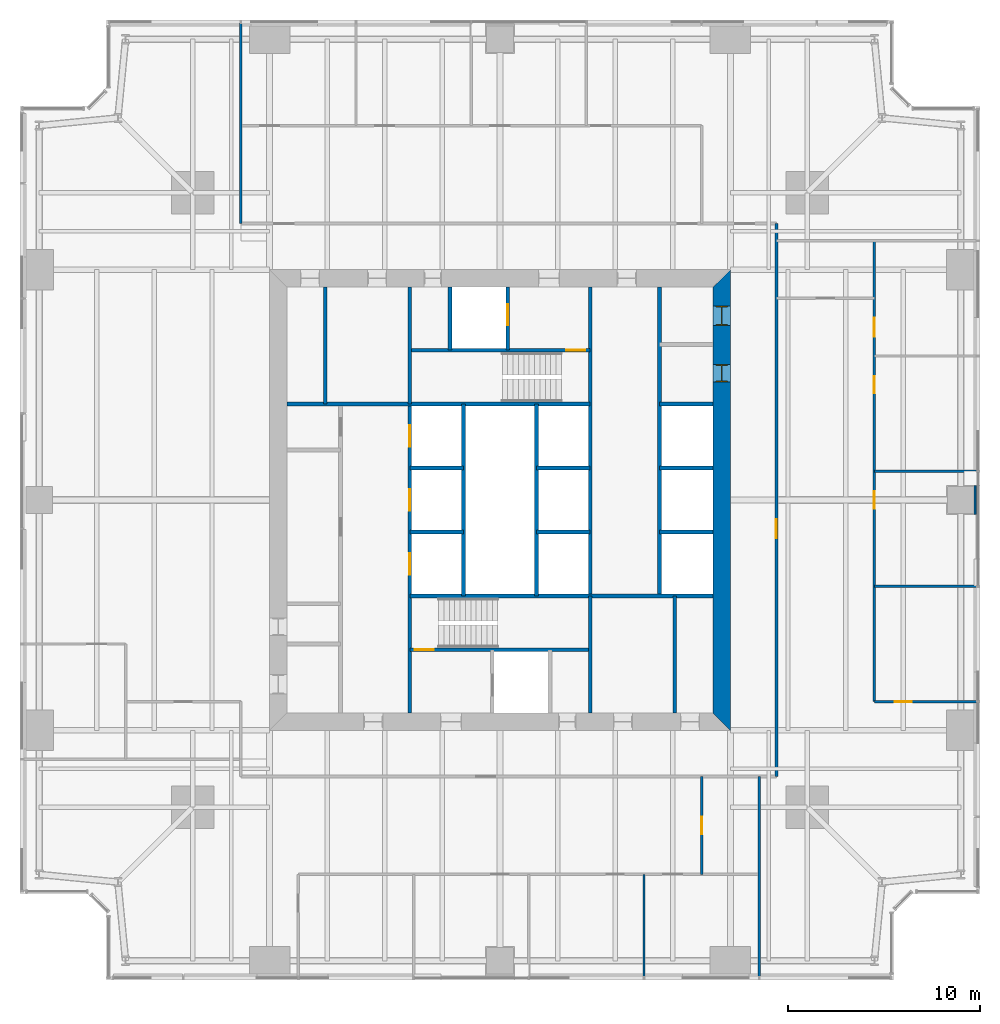
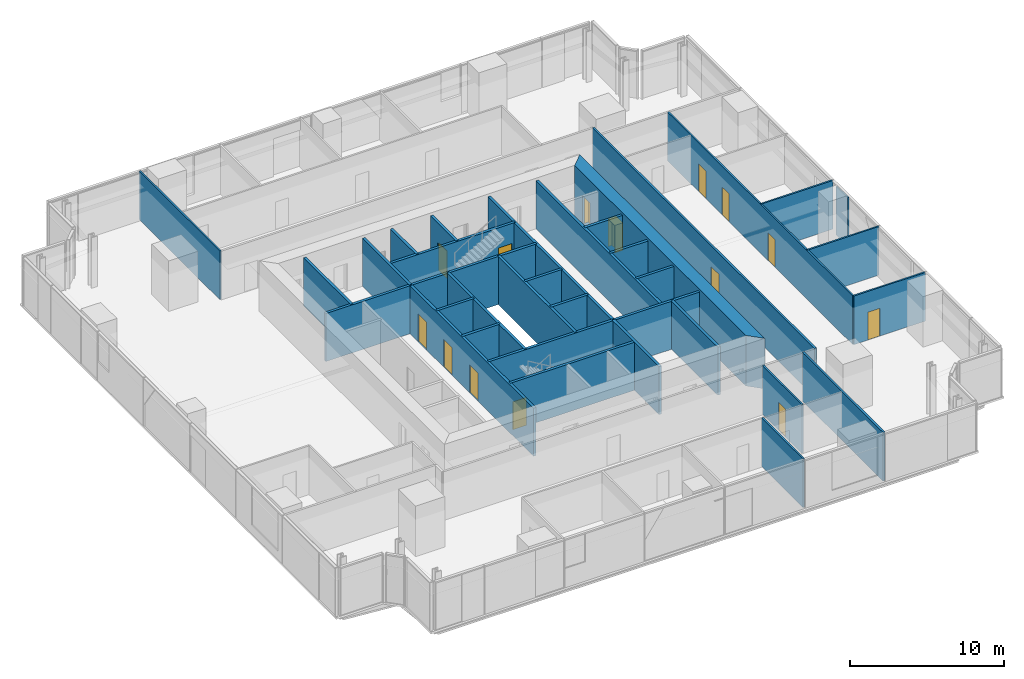
# One storey, part 10 of 13: 33 walls, 14 doors, 14 openings.
"""IFC4 building model written with IfcOpenShell, lengths in metres."""

import ifcopenshell
import ifcopenshell.guid

model = None  # the IFC model being written
_history = None  # IfcOwnerHistory: only IFC2X3 demands one
_inside = {}  # id of a spatial element -> (the spatial element, [elements in it])
_under = {}  # id of a project, library or spatial element -> (it, [spatial elements below it])
_declared = {}  # id of a project -> (the project, [libraries it declares])
_typed = {}  # id of a type object -> (the type object, [elements of that type])
_made_of = {}  # id of a material, layer set ... -> (it, [elements and type objects made of it])


def new_model(schema):
    """Start an empty IFC model of exactly this schema.

    Asked for "IFC4X3", IfcOpenShell would pick the latest addendum, in which some entities
    have other attributes; the version numbers below select the first issue.
    IFC2X3 requires an IfcOwnerHistory on every rooted entity: one is made here for all.
    """
    global model, _history
    if schema == "IFC4X3":
        model = ifcopenshell.file(schema_version=(4, 3, 0, 0))
    else:
        model = ifcopenshell.file(schema=schema)
    _inside.clear()
    _under.clear()
    _declared.clear()
    _typed.clear()
    _made_of.clear()
    _history = None
    if model.schema == "IFC2X3":
        org = make("IfcOrganization", Name="unknown")
        user = make(
            "IfcPersonAndOrganization",
            ThePerson=make("IfcPerson", FamilyName="unknown"),
            TheOrganization=org,
        )
        app = make(
            "IfcApplication",
            ApplicationDeveloper=org,
            Version="unknown",
            ApplicationFullName="unknown",
            ApplicationIdentifier="unknown",
        )
        _history = make(
            "IfcOwnerHistory",
            OwningUser=user,
            OwningApplication=app,
            ChangeAction="ADDED",
            CreationDate=0,
        )
    return model


def make(cls, **values):
    """One entity of the class cls with the attributes given. An attribute that is None is left unset."""
    return model.create_entity(
        cls, **{name: value for name, value in values.items() if value is not None}
    )


def rooted(cls, **values):
    """An entity with a GlobalId (a new one), such as an element, a storey or a relation."""
    return make(cls, GlobalId=ifcopenshell.guid.new(), OwnerHistory=_history, **values)


def si_unit(unit_type, name, prefix=None):
    """IfcSIUnit, for example si_unit("LENGTHUNIT", "METRE", prefix="MILLI")."""
    return make("IfcSIUnit", UnitType=unit_type, Prefix=prefix, Name=name)


def assignment(units):
    """IfcUnitAssignment: the units of a project."""
    return None if units is None else make("IfcUnitAssignment", Units=units)


def point(xyz):
    """IfcCartesianPoint."""
    return None if xyz is None else make("IfcCartesianPoint", Coordinates=xyz)


def direction(xyz):
    """IfcDirection."""
    return None if xyz is None else make("IfcDirection", DirectionRatios=xyz)


def frame(location, z_axis=None, x_axis=None):
    """IfcAxis2Placement3D, a coordinate frame: its origin and axes. An axis left out is left unset."""
    return make(
        "IfcAxis2Placement3D",
        Location=point(location),
        Axis=direction(z_axis),
        RefDirection=direction(x_axis),
    )


def frame_2d(location, x_axis=None):
    """IfcAxis2Placement2D, a coordinate frame in the plane: its origin and x axis."""
    return make(
        "IfcAxis2Placement2D", Location=point(location), RefDirection=direction(x_axis)
    )


def origin():
    """The frame at (0, 0, 0) with its axes left unset."""
    return frame((0.0, 0.0, 0.0))


def place(relative_to, where):
    """IfcLocalPlacement: puts the frame where relative to a parent placement (None: the world)."""
    return make(
        "IfcLocalPlacement", PlacementRelTo=relative_to, RelativePlacement=where
    )


def context(
    kind, dimensions, precision=None, world=None, true_north=None, identifier=None
):
    """IfcGeometricRepresentationContext, for example the 3D "Model" context."""
    return make(
        "IfcGeometricRepresentationContext",
        ContextIdentifier=identifier,
        ContextType=kind,
        CoordinateSpaceDimension=dimensions,
        Precision=precision,
        WorldCoordinateSystem=world,
        TrueNorth=true_north,
    )


def subcontext(parent, identifier, kind, view, scale=None):
    """IfcGeometricRepresentationSubContext, for example "Body" below "Model"."""
    return make(
        "IfcGeometricRepresentationSubContext",
        ContextIdentifier=identifier,
        ContextType=kind,
        ParentContext=parent,
        TargetScale=scale,
        TargetView=view,
    )


def project(units=None, contexts=None):
    """IfcProject with its units and contexts."""
    return rooted(
        "IfcProject",
        Name="project",
        RepresentationContexts=contexts,
        UnitsInContext=assignment(units),
    )


def spatial(cls, under=None, at=None, **own):
    """A site, building, storey or space (cls), placed at a placement, below another one or the project."""
    s = rooted(cls, ObjectPlacement=at, **own)
    if under is not None:
        _under.setdefault(under.id(), (under, []))[1].append(s)
    return s


def polyline(points):
    """IfcPolyline through the points."""
    return make("IfcPolyline", Points=[point(p) for p in points])


def profile(cls, at=None, kind="AREA", **sizes):
    """A parametric profile (cls). Its sizes go by their IFC names, for example OverallWidth=200.0."""
    return make(cls, ProfileType=kind, Position=at, **sizes)


def rectangle(**sizes):
    """IfcRectangleProfileDef."""
    return profile("IfcRectangleProfileDef", **sizes)


def outline(outer, holes=None, kind="AREA"):
    """IfcArbitraryClosedProfileDef: a profile drawn as a closed curve; with holes, ...WithVoids."""
    if holes is None:
        return make("IfcArbitraryClosedProfileDef", ProfileType=kind, OuterCurve=outer)
    return make(
        "IfcArbitraryProfileDefWithVoids",
        ProfileType=kind,
        OuterCurve=outer,
        InnerCurves=holes,
    )


def extrude(swept, where, along, depth):
    """IfcExtrudedAreaSolid: the profile swept, set in the frame where, extruded along a direction by depth."""
    return make(
        "IfcExtrudedAreaSolid",
        SweptArea=swept,
        Position=where,
        ExtrudedDirection=direction(along),
        Depth=depth,
    )


def shape(context_of_items, identifier, shape_type, items):
    """IfcShapeRepresentation: the items that make up one representation, for example the "Body"."""
    return make(
        "IfcShapeRepresentation",
        ContextOfItems=context_of_items,
        RepresentationIdentifier=identifier,
        RepresentationType=shape_type,
        Items=items,
    )


def material(Name=None, Category=None):
    """IfcMaterial."""
    return make("IfcMaterial", Name=Name, Category=Category)


def layer(
    of_material, thickness, ventilated=None, Name=None, Category=None, Priority=None
):
    """IfcMaterialLayer: one layer of a wall or slab, of a material (None: an air gap)."""
    return make(
        "IfcMaterialLayer",
        Material=of_material,
        LayerThickness=thickness,
        IsVentilated=ventilated,
        Name=Name,
        Category=Category,
        Priority=Priority,
    )


def layer_set(layers, Name=None):
    """IfcMaterialLayerSet."""
    return make("IfcMaterialLayerSet", MaterialLayers=layers, LayerSetName=Name)


def made_of(thing, what):
    """Note that an element or type object is made of a material, layer set ...; save() writes the relation."""
    if what is not None:
        _made_of.setdefault(what.id(), (what, []))[1].append(thing)
    return thing


def type_object(cls, material=None, **own):
    """A type object (cls), such as IfcWallType, which elements share."""
    return made_of(rooted(cls, **own), material)


def element(
    cls,
    number,
    at=None,
    inside=None,
    cuts=None,
    type_object=None,
    material=None,
    context=None,
    identifier="Body",
    shape_type=None,
    held_by="IfcProductDefinitionShape",
    body=None,
    shapes=None,
    **own,
):
    """One element of the class cls, such as IfcWall. Its Tag is "e" and its number.

    at: its placement. inside: the storey or other place that contains it. cuts: it is an
    opening in that element (IfcRelVoidsElement). A single representation is given by context,
    identifier, shape_type and body (its items); several are given by shapes. held_by: the class
    of the entity that holds the representations. save() writes the other relations.
    """
    e = rooted(cls, Tag="e%d" % number, ObjectPlacement=at, **own)
    if body is not None:
        shapes = [shape(context, identifier, shape_type, body)]
    if shapes is not None:
        e.Representation = make(held_by, Representations=shapes)
    if inside is not None:
        _inside.setdefault(inside.id(), (inside, []))[1].append(e)
    if cuts is not None:
        rooted(
            "IfcRelVoidsElement", RelatingBuildingElement=cuts, RelatedOpeningElement=e
        )
    if type_object is not None:
        _typed.setdefault(type_object.id(), (type_object, []))[1].append(e)
    return made_of(e, material)


def fill(opening, filler):
    """IfcRelFillsElement: the door or window that sits in an opening."""
    return rooted(
        "IfcRelFillsElement",
        RelatingOpeningElement=opening,
        RelatedBuildingElement=filler,
    )


def aggregate(whole, parts):
    """IfcRelAggregates: a whole, such as a stair, and the parts it consists of."""
    return rooted("IfcRelAggregates", RelatingObject=whole, RelatedObjects=parts)


def save(model, path):
    """Write the relations noted so far, then the file.

    IfcRelAggregates (storeys below a building ...), IfcRelContainedInSpatialStructure (elements
    in a storey), IfcRelDefinesByType, IfcRelAssociatesMaterial and IfcRelDeclares: one each for
    every whole, place, type object, material and project.
    """
    for whole, parts in _under.values():
        aggregate(whole, parts)
    for where, things in _inside.values():
        rooted(
            "IfcRelContainedInSpatialStructure",
            RelatedElements=things,
            RelatingStructure=where,
        )
    for kind, things in _typed.values():
        rooted("IfcRelDefinesByType", RelatedObjects=things, RelatingType=kind)
    for what, things in _made_of.values():
        rooted("IfcRelAssociatesMaterial", RelatedObjects=things, RelatingMaterial=what)
    for by, libraries in _declared.values():
        rooted("IfcRelDeclares", RelatingContext=by, RelatedDefinitions=libraries)
    model.write(path)


model = new_model("IFC4")

# Units and contexts
model_context = context("Model", 3, precision=1e-05, world=origin(), true_north=direction((0.0, 1.0)))
body_context = subcontext(model_context, "Body", "Model", "MODEL_VIEW")
ifc_project = project(units=[si_unit("LENGTHUNIT", "METRE"), si_unit("AREAUNIT", "SQUARE_METRE"), si_unit("VOLUMEUNIT", "CUBIC_METRE"), si_unit("PLANEANGLEUNIT", "RADIAN"), si_unit("MASSUNIT", "GRAM", prefix="KILO")], contexts=[model_context])

# Site, building, storey
site_placement = place(None, origin())
site = spatial("IfcSite", under=ifc_project, at=site_placement, CompositionType="ELEMENT")
building_placement = place(site_placement, origin())
building = spatial("IfcBuilding", under=site, at=building_placement, Name="Fenwick Lantern Interchange", CompositionType="ELEMENT")
storey_placement = place(building_placement, frame((0.0, 0.0, 102.39990234375)))
storey = spatial("IfcBuildingStorey", under=building, at=storey_placement, Name="L23", CompositionType="ELEMENT", Elevation=102.39990234375)

# Walls
ifc_material_1 = material(Name="Fire-rated gypsum board encasement on steel studs, 2 hour", Category="steel")
ifc_layer_1 = layer(ifc_material_1, 1.5)
ifc_layer_set_1 = layer_set([ifc_layer_1], Name="COLUMN PIER 1500")
wall_type_1 = type_object("IfcWallType", Name="COLUMN PIER 1500", PredefinedType="PARTITIONING", material=ifc_layer_set_1)
wall_1_placement = place(storey_placement, frame((49.800048828125, 25.0, 0.0), z_axis=(0.0, 0.0, 1.0), x_axis=(-1.0, 0.0, 0.0)))
element("IfcWall", 1, at=wall_1_placement, inside=storey, type_object=wall_type_1, Name="L23/W/PIER/CE3", PredefinedType="PARTITIONING", context=body_context, shape_type="SweptSolid", body=[
    extrude(rectangle(XDim=0.10009765625, YDim=1.5, at=frame_2d((0.050048828125, 0.0))), origin(), (0.0, 0.0, 1.0), 3.85009765625),
])
ifc_material_2 = material(Name="Concrete masonry ASTM C90 Grade N", Category="masonry")
ifc_layer_2 = layer(ifc_material_2, 0.199951171875)
ifc_layer_set_2 = layer_set([ifc_layer_2], Name="Concrete masonry ASTM C90 Grade N")
wall_type_2 = type_object("IfcWallType", Name="CORE PARTITION 200", PredefinedType="PARTITIONING", material=ifc_layer_set_2)
for number, where, z_axis, x_axis, name in (
    (2, (20.300048828125, 23.333251953125, 0.0), (0.0, 0.0, 1.0), (1.0, 0.0, 0.0), "L23/W/CORES/e1"),
    (3, (20.300048828125, 26.666748046875, 0.0), (0.0, 0.0, 1.0), (1.0, 0.0, 0.0), "L23/W/CORES/e2"),
):
    element("IfcWall", number, at=place(storey_placement, frame(where, z_axis=z_axis, x_axis=x_axis)), inside=storey, type_object=wall_type_2, Name=name, PredefinedType="PARTITIONING", context=body_context, shape_type="SweptSolid", body=[
        extrude(rectangle(XDim=2.800048828125, YDim=0.199951171875, at=frame_2d((1.39990234375, 0.0))), origin(), (0.0, 0.0, 1.0), 3.800048828125),
    ])
wall_2_placement = place(storey_placement, frame((23.10009765625, 20.0, 0.0), z_axis=(0.0, 0.0, 1.0), x_axis=(0.0, 1.0, 0.0)))
element("IfcWall", 4, at=wall_2_placement, inside=storey, type_object=wall_type_2, Name="L23/W/CORES/e3", PredefinedType="PARTITIONING", context=body_context, shape_type="SweptSolid", body=[
    extrude(rectangle(XDim=10.0, YDim=0.199951171875, at=frame_2d((5.0, 0.0))), origin(), (0.0, 0.0, 1.0), 3.800048828125),
])
wall_3_placement = place(storey_placement, frame((34.10009765625, 13.89990234375, 0.0), z_axis=(0.0, 0.0, 1.0), x_axis=(0.0, 1.0, 0.0)))
element("IfcWall", 5, at=wall_3_placement, inside=storey, type_object=wall_type_2, Name="L23/W/CORES/i2", PredefinedType="PARTITIONING", context=body_context, shape_type="SweptSolid", body=[
    extrude(rectangle(XDim=6.10009765625, YDim=0.199951171875, at=frame_2d((3.050048828125, 0.0))), origin(), (0.0, 0.0, 1.0), 3.800048828125),
])
wall_4_placement = place(storey_placement, frame((33.300048828125, 36.10009765625, 0.0), z_axis=(0.0, 0.0, 1.0), x_axis=(0.0, -1.0, 0.0)))
element("IfcWall", 6, at=wall_4_placement, inside=storey, type_object=wall_type_2, Name="L23/W/COREN/a", PredefinedType="PARTITIONING", context=body_context, shape_type="SweptSolid", body=[
    extrude(rectangle(XDim=16.10009765625, YDim=0.199951171875, at=frame_2d((8.050048828125, 0.0))), origin(), (0.0, 0.0, 1.0), 3.800048828125),
])
for number, where, z_axis, x_axis, name in (
    (7, (36.10009765625, 30.0, 0.0), (0.0, 0.0, 1.0), (-1.0, 0.0, 0.0), "L23/W/COREN/c2"),
    (8, (36.10009765625, 26.666748046875, 0.0), (0.0, 0.0, 1.0), (-1.0, 0.0, 0.0), "L23/W/COREN/d1"),
    (9, (36.10009765625, 23.333251953125, 0.0), (0.0, 0.0, 1.0), (-1.0, 0.0, 0.0), "L23/W/COREN/d2"),
    (10, (29.699951171875, 26.666748046875, 0.0), (0.0, 0.0, 1.0), (-1.0, 0.0, 0.0), "L23/W/COREN/e1"),
    (11, (29.699951171875, 23.333251953125, 0.0), (0.0, 0.0, 1.0), (-1.0, 0.0, 0.0), "L23/W/COREN/e2"),
):
    element("IfcWall", number, at=place(storey_placement, frame(where, z_axis=z_axis, x_axis=x_axis)), inside=storey, type_object=wall_type_2, Name=name, PredefinedType="PARTITIONING", context=body_context, shape_type="SweptSolid", body=[
        extrude(rectangle(XDim=2.800048828125, YDim=0.199951171875, at=frame_2d((1.39990234375, 0.0))), origin(), (0.0, 0.0, 1.0), 3.800048828125),
    ])
wall_5_placement = place(storey_placement, frame((26.89990234375, 30.0, 0.0), z_axis=(0.0, 0.0, 1.0), x_axis=(0.0, -1.0, 0.0)))
element("IfcWall", 12, at=wall_5_placement, inside=storey, type_object=wall_type_2, Name="L23/W/COREN/e3", PredefinedType="PARTITIONING", context=body_context, shape_type="SweptSolid", body=[
    extrude(rectangle(XDim=10.0, YDim=0.199951171875, at=frame_2d((5.0, 0.0))), origin(), (0.0, 0.0, 1.0), 3.800048828125),
])

# Wall, opening, door
wall_6_placement = place(storey_placement, frame((25.39990234375, 36.10009765625, 0.0), z_axis=(0.0, 0.0, 1.0), x_axis=(0.0, -1.0, 0.0)))
wall_6 = element("IfcWall", 13, at=wall_6_placement, inside=storey, type_object=wall_type_2, Name="L23/W/COREN/h1", PredefinedType="PARTITIONING", context=body_context, shape_type="SweptSolid", body=[
    extrude(rectangle(XDim=3.300048828125, YDim=0.199951171875, at=frame_2d((1.64990234375, 0.0))), origin(), (0.0, 0.0, 1.0), 3.800048828125),
])
opening_1_placement = place(wall_6_placement, frame((0.89990234375, 0.0, 0.0)))
opening_1 = element("IfcOpeningElement", 14, at=opening_1_placement, cuts=wall_6, Name="Opening LD-FL2", PredefinedType="OPENING", context=body_context, shape_type="SweptSolid", body=[
    extrude(rectangle(XDim=1.10009765625, YDim=2.199951171875, at=frame_2d((0.550048828125, 1.10009765625))), frame((0.0, 0.10986328125, 0.0), z_axis=(0.0, -1.0, 0.0), x_axis=(1.0, 0.0, 0.0)), (0.0, 0.0, 1.0), 0.219970703125),
])
ifc_material_3 = material(Name="Steel door and frame", Category="steel")
door_type_1 = type_object("IfcDoorType", Name="LIFT LANDING DOOR 1100 X 2200", OperationType="DOUBLE_DOOR_SLIDING", PredefinedType="DOOR", material=ifc_material_3)
door_1_placement = place(opening_1_placement, origin())
door_1 = element("IfcDoor", 15, at=door_1_placement, inside=storey, type_object=door_type_1, Name="Lift landing door FL2", OperationType="DOUBLE_DOOR_SLIDING", OverallHeight=2.199951171875, OverallWidth=1.10009765625, PredefinedType="DOOR", context=body_context, shape_type="SweptSolid", body=[
    extrude(rectangle(XDim=1.10009765625, YDim=2.199951171875, at=frame_2d((0.550048828125, 1.10009765625))), frame((0.0, 0.02490234375, 0.0), z_axis=(0.0, -1.0, 0.0), x_axis=(1.0, 0.0, 0.0)), (0.0, 0.0, 1.0), 0.050048828125),
])
fill(opening_1, door_1)

# Walls
wall_7_placement = place(storey_placement, frame((22.39990234375, 36.10009765625, 0.0), z_axis=(0.0, 0.0, 1.0), x_axis=(0.0, -1.0, 0.0)))
element("IfcWall", 16, at=wall_7_placement, inside=storey, type_object=wall_type_2, Name="L23/W/COREN/h2", PredefinedType="PARTITIONING", context=body_context, shape_type="SweptSolid", body=[
    extrude(rectangle(XDim=3.300048828125, YDim=0.199951171875, at=frame_2d((1.64990234375, 0.0))), origin(), (0.0, 0.0, 1.0), 3.800048828125),
])
wall_8_placement = place(storey_placement, frame((15.89990234375, 36.10009765625, 0.0), z_axis=(0.0, 0.0, 1.0), x_axis=(0.0, -1.0, 0.0)))
element("IfcWall", 17, at=wall_8_placement, inside=storey, type_object=wall_type_2, Name="L23/W/COREN/i2", PredefinedType="PARTITIONING", context=body_context, shape_type="SweptSolid", body=[
    extrude(rectangle(XDim=6.10009765625, YDim=0.199951171875, at=frame_2d((3.050048828125, 0.0))), origin(), (0.0, 0.0, 1.0), 3.800048828125),
])

# Wall, openings, doors
ifc_material_4 = material(Name="Concrete f'c 70 MPa", Category="concrete")
ifc_layer_3 = layer(ifc_material_4, 0.89990234375)
ifc_layer_set_3 = layer_set([ifc_layer_3], Name="CORE WALL 900")
wall_type_3 = type_object("IfcWallType", Name="CORE WALL 900", PredefinedType="SHEAR", material=ifc_layer_set_3)
wall_9_placement = place(storey_placement, frame((36.550048828125, 13.89990234375, 0.0), z_axis=(0.0, 0.0, 1.0), x_axis=(0.0, 1.0, 0.0)))
wall_9 = element("IfcWall", 18, at=wall_9_placement, inside=storey, type_object=wall_type_3, Name="L23/CORE/E", PredefinedType="SHEAR", context=body_context, shape_type="SweptSolid", body=[
    extrude(outline(polyline([(-0.89990234375, -0.449951171875), (23.10009765625, -0.449951171875), (22.199951171875, 0.449951171875), (0.0, 0.449951171875), (-0.89990234375, -0.449951171875)])), origin(), (0.0, 0.0, 1.0), 4.0),
])
opening_2_placement = place(wall_9_placement, frame((20.199951171875, 0.0, 0.0)))
opening_2 = element("IfcOpeningElement", 19, at=opening_2_placement, cuts=wall_9, Name="Opening L23-D017", PredefinedType="OPENING", context=body_context, shape_type="SweptSolid", body=[
    extrude(rectangle(XDim=1.0, YDim=2.199951171875, at=frame_2d((0.5, 1.10009765625))), frame((0.0, 0.4599609375, 0.0), z_axis=(0.0, -1.0, 0.0), x_axis=(1.0, 0.0, 0.0)), (0.0, 0.0, 1.0), 0.919921875),
])
opening_3_placement = place(wall_9_placement, frame((17.25, 0.0, 0.0)))
opening_3 = element("IfcOpeningElement", 20, at=opening_3_placement, cuts=wall_9, Name="Opening L23-D018", PredefinedType="OPENING", context=body_context, shape_type="SweptSolid", body=[
    extrude(rectangle(XDim=0.89990234375, YDim=2.199951171875, at=frame_2d((0.449951171875, 1.10009765625))), frame((0.0, 0.4599609375, 0.0), z_axis=(0.0, -1.0, 0.0), x_axis=(1.0, 0.0, 0.0)), (0.0, 0.0, 1.0), 0.919921875),
])
door_type_2 = type_object("IfcDoorType", Name="SERVICE DOOR 900 X 2200", OperationType="SINGLE_SWING_LEFT", PredefinedType="DOOR", material=ifc_material_3)
door_2_placement = place(opening_3_placement, origin())
door_2 = element("IfcDoor", 21, at=door_2_placement, inside=storey, type_object=door_type_2, Name="Service door", OperationType="SINGLE_SWING_RIGHT", OverallHeight=2.199951171875, OverallWidth=0.89990234375, PredefinedType="DOOR", context=body_context, shape_type="SweptSolid", body=[
    extrude(rectangle(XDim=0.89990234375, YDim=2.199951171875, at=frame_2d((0.449951171875, 1.10009765625))), frame((0.0, 0.02490234375, 0.0), z_axis=(0.0, -1.0, 0.0), x_axis=(1.0, 0.0, 0.0)), (0.0, 0.0, 1.0), 0.050048828125),
    extrude(outline(polyline([(0.0, 0.0), (0.0400390625, 0.0), (0.0400390625, 2.159912109375), (0.85986328125, 2.159912109375), (0.85986328125, 0.0), (0.89990234375, 0.0), (0.89990234375, 2.199951171875), (0.0, 2.199951171875), (0.0, 0.0)])), frame((0.0, 0.300048828125, 0.0), z_axis=(0.0, -1.0, 0.0), x_axis=(1.0, 0.0, 0.0)), (0.0, 0.0, 1.0), 0.60009765625),
])
fill(opening_3, door_2)
ifc_material_5 = material(Name="Hardwood door and steel frame", Category="steel")
door_type_3 = type_object("IfcDoorType", Name="WC DOOR 1000 X 2200", OperationType="SINGLE_SWING_LEFT", PredefinedType="DOOR", material=ifc_material_5)
door_3_placement = place(opening_2_placement, origin())
door_3 = element("IfcDoor", 22, at=door_3_placement, inside=storey, type_object=door_type_3, Name="Wc door", OperationType="SINGLE_SWING_LEFT", OverallHeight=2.199951171875, OverallWidth=1.0, PredefinedType="DOOR", context=body_context, shape_type="SweptSolid", body=[
    extrude(rectangle(XDim=1.0, YDim=2.199951171875, at=frame_2d((0.5, 1.10009765625))), frame((0.0, 0.02490234375, 0.0), z_axis=(0.0, -1.0, 0.0), x_axis=(1.0, 0.0, 0.0)), (0.0, 0.0, 1.0), 0.050048828125),
    extrude(outline(polyline([(0.0, 0.0), (0.0400390625, 0.0), (0.0400390625, 2.159912109375), (0.9599609375, 2.159912109375), (0.9599609375, 0.0), (1.0, 0.0), (1.0, 2.199951171875), (0.0, 2.199951171875), (0.0, 0.0)])), frame((0.0, 0.300048828125, 0.0), z_axis=(0.0, -1.0, 0.0), x_axis=(1.0, 0.0, 0.0)), (0.0, 0.0, 1.0), 0.60009765625),
])
fill(opening_2, door_3)

# Wall, opening, door
ifc_material_6 = material(Name="Gypsum board on steel studs, 1 hour", Category="steel")
ifc_layer_4 = layer(ifc_material_6, 0.14990234375)
ifc_layer_set_4 = layer_set([ifc_layer_4], Name="CORRIDOR WALL 150")
wall_type_4 = type_object("IfcWallType", Name="CORRIDOR WALL 150", PredefinedType="PARTITIONING", material=ifc_layer_set_4)
wall_10_placement = place(storey_placement, frame((39.39990234375, 10.60009765625, 0.0), z_axis=(0.0, 0.0, 1.0), x_axis=(0.0, 1.0, 0.0)))
wall_10 = element("IfcWall", 23, at=wall_10_placement, inside=storey, type_object=wall_type_4, Name="L23/W/OFF/E/CW2", PredefinedType="PARTITIONING", context=body_context, shape_type="SweptSolid", body=[
    extrude(rectangle(XDim=28.7998046875, YDim=0.14990234375, at=frame_2d((14.39990234375, 0.0))), origin(), (0.0, 0.0, 1.0), 3.85009765625),
])
opening_4_placement = place(wall_10_placement, frame((12.39990234375, 0.0, 0.0)))
opening_4 = element("IfcOpeningElement", 24, at=opening_4_placement, cuts=wall_10, Name="Opening L23-D025", PredefinedType="OPENING", context=body_context, shape_type="SweptSolid", body=[
    extrude(rectangle(XDim=1.0, YDim=2.199951171875, at=frame_2d((0.5, 1.10009765625))), frame((0.0, 0.0849609375, 0.0), z_axis=(0.0, -1.0, 0.0), x_axis=(1.0, 0.0, 0.0)), (0.0, 0.0, 1.0), 0.169921875),
])
door_type_4 = type_object("IfcDoorType", Name="SUITE ENTRANCE DOOR 1000 X 2200", OperationType="SINGLE_SWING_LEFT", PredefinedType="DOOR", material=ifc_material_3)
door_4_placement = place(opening_4_placement, frame((1.0, 0.0, 0.0), z_axis=(0.0, 0.0, 1.0), x_axis=(-1.0, 0.0, 0.0)))
door_4 = element("IfcDoor", 25, at=door_4_placement, inside=storey, type_object=door_type_4, Name="Suite entrance door", OperationType="SINGLE_SWING_LEFT", OverallHeight=2.199951171875, OverallWidth=1.0, PredefinedType="DOOR", context=body_context, shape_type="SweptSolid", body=[
    extrude(rectangle(XDim=1.0, YDim=2.199951171875, at=frame_2d((0.5, 1.10009765625))), frame((0.0, 0.02490234375, 0.0), z_axis=(0.0, -1.0, 0.0), x_axis=(1.0, 0.0, 0.0)), (0.0, 0.0, 1.0), 0.050048828125),
])
fill(opening_4, door_4)

# Wall
ifc_material_7 = material(Name="Gypsum board on steel studs, acoustic", Category="steel")
ifc_layer_5 = layer(ifc_material_7, 0.125)
ifc_layer_set_5 = layer_set([ifc_layer_5], Name="OFFICE PARTITION 125")
wall_type_5 = type_object("IfcWallType", Name="OFFICE PARTITION 125", PredefinedType="PARTITIONING", material=ifc_layer_set_5)
wall_11_placement = place(storey_placement, frame((32.5, 0.14990234375, 0.0), z_axis=(0.0, 0.0, 1.0), x_axis=(0.0, 1.0, 0.0)))
element("IfcWall", 26, at=wall_11_placement, inside=storey, type_object=wall_type_5, Name="L23/W/OFF/S/X325-1", PredefinedType="PARTITIONING", context=body_context, shape_type="SweptSolid", body=[
    extrude(rectangle(XDim=5.35009765625, YDim=0.125, at=frame_2d((2.675048828125, 0.0))), origin(), (0.0, 0.0, 1.0), 3.85009765625),
])

# Wall, opening, door
wall_12_placement = place(storey_placement, frame((35.5, 5.5, 0.0), z_axis=(0.0, 0.0, 1.0), x_axis=(0.0, 1.0, 0.0)))
wall_12 = element("IfcWall", 27, at=wall_12_placement, inside=storey, type_object=wall_type_5, Name="L23/W/OFF/S/X355-1", PredefinedType="PARTITIONING", context=body_context, shape_type="SweptSolid", body=[
    extrude(rectangle(XDim=5.10009765625, YDim=0.125, at=frame_2d((2.550048828125, 0.0))), origin(), (0.0, 0.0, 1.0), 3.85009765625),
])
opening_5_placement = place(wall_12_placement, frame((2.10009765625, 0.0, 0.0)))
opening_5 = element("IfcOpeningElement", 28, at=opening_5_placement, cuts=wall_12, Name="Opening L23-D024", PredefinedType="OPENING", context=body_context, shape_type="SweptSolid", body=[
    extrude(rectangle(XDim=0.89990234375, YDim=2.199951171875, at=frame_2d((0.449951171875, 1.10009765625))), frame((0.0, 0.072509765625, 0.0), z_axis=(0.0, -1.0, 0.0), x_axis=(1.0, 0.0, 0.0)), (0.0, 0.0, 1.0), 0.14501953125),
])
door_type_5 = type_object("IfcDoorType", Name="OFFICE DOOR 900 X 2200", OperationType="SINGLE_SWING_LEFT", PredefinedType="DOOR", material=ifc_material_5)
door_5_placement = place(opening_5_placement, frame((0.89990234375, 0.0, 0.0), z_axis=(0.0, 0.0, 1.0), x_axis=(-1.0, 0.0, 0.0)))
door_5 = element("IfcDoor", 29, at=door_5_placement, inside=storey, type_object=door_type_5, Name="Office door", OperationType="SINGLE_SWING_RIGHT", OverallHeight=2.199951171875, OverallWidth=0.89990234375, PredefinedType="DOOR", context=body_context, shape_type="SweptSolid", body=[
    extrude(rectangle(XDim=0.89990234375, YDim=2.199951171875, at=frame_2d((0.449951171875, 1.10009765625))), frame((0.0, 0.02490234375, 0.0), z_axis=(0.0, -1.0, 0.0), x_axis=(1.0, 0.0, 0.0)), (0.0, 0.0, 1.0), 0.050048828125),
])
fill(opening_5, door_5)

wall_13_placement = place(storey_placement, frame((49.85009765625, 14.5, 0.0), z_axis=(0.0, 0.0, 1.0), x_axis=(-1.0, 0.0, 0.0)))
wall_13 = element("IfcWall", 30, at=wall_13_placement, inside=storey, type_object=wall_type_5, Name="L23/W/OFF/E/X145-1", PredefinedType="PARTITIONING", context=body_context, shape_type="SweptSolid", body=[
    extrude(rectangle(XDim=5.35009765625, YDim=0.125, at=frame_2d((2.675048828125, 0.0))), origin(), (0.0, 0.0, 1.0), 3.85009765625),
])
opening_6_placement = place(wall_13_placement, frame((3.39990234375, 0.0, 0.0)))
opening_6 = element("IfcOpeningElement", 31, at=opening_6_placement, cuts=wall_13, Name="Opening L23-D026", PredefinedType="OPENING", context=body_context, shape_type="SweptSolid", body=[
    extrude(rectangle(XDim=0.89990234375, YDim=2.199951171875, at=frame_2d((0.449951171875, 1.10009765625))), frame((0.0, 0.072509765625, 0.0), z_axis=(0.0, -1.0, 0.0), x_axis=(1.0, 0.0, 0.0)), (0.0, 0.0, 1.0), 0.14501953125),
])
door_6_placement = place(opening_6_placement, frame((0.89990234375, 0.0, 0.0), z_axis=(0.0, 0.0, 1.0), x_axis=(-1.0, 0.0, 0.0)))
door_6 = element("IfcDoor", 32, at=door_6_placement, inside=storey, type_object=door_type_5, Name="Office door", OperationType="SINGLE_SWING_LEFT", OverallHeight=2.199951171875, OverallWidth=0.89990234375, PredefinedType="DOOR", context=body_context, shape_type="SweptSolid", body=[
    extrude(rectangle(XDim=0.89990234375, YDim=2.199951171875, at=frame_2d((0.449951171875, 1.10009765625))), frame((0.0, 0.02490234375, 0.0), z_axis=(0.0, -1.0, 0.0), x_axis=(1.0, 0.0, 0.0)), (0.0, 0.0, 1.0), 0.050048828125),
])
fill(opening_6, door_6)

# Walls
for number, where, z_axis, x_axis, name in (
    (33, (49.85009765625, 20.5, 0.0), (0.0, 0.0, 1.0), (-1.0, 0.0, 0.0), "L23/W/OFF/E/X205-1"),
    (34, (49.85009765625, 26.5, 0.0), (0.0, 0.0, 1.0), (-1.0, 0.0, 0.0), "L23/W/OFF/E/X265-1"),
):
    element("IfcWall", number, at=place(storey_placement, frame(where, z_axis=z_axis, x_axis=x_axis)), inside=storey, type_object=wall_type_5, Name=name, PredefinedType="PARTITIONING", context=body_context, shape_type="SweptSolid", body=[
        extrude(rectangle(XDim=5.35009765625, YDim=0.125, at=frame_2d((2.675048828125, 0.0))), origin(), (0.0, 0.0, 1.0), 3.85009765625),
    ])

# Wall, openings, doors
wall_14_placement = place(storey_placement, frame((44.5, 14.5, 0.0), z_axis=(0.0, 0.0, 1.0), x_axis=(0.0, 1.0, 0.0)))
wall_14 = element("IfcWall", 35, at=wall_14_placement, inside=storey, type_object=wall_type_5, Name="L23/W/OFF/E/Y55-1", PredefinedType="PARTITIONING", context=body_context, shape_type="SweptSolid", body=[
    extrude(rectangle(XDim=24.0, YDim=0.125, at=frame_2d((12.0, 0.0))), origin(), (0.0, 0.0, 1.0), 3.85009765625),
])
opening_7_placement = place(wall_14_placement, frame((10.050048828125, 0.0, 0.0)))
opening_7 = element("IfcOpeningElement", 36, at=opening_7_placement, cuts=wall_14, Name="Opening L23-D027", PredefinedType="OPENING", context=body_context, shape_type="SweptSolid", body=[
    extrude(rectangle(XDim=0.89990234375, YDim=2.199951171875, at=frame_2d((0.449951171875, 1.10009765625))), frame((0.0, 0.072509765625, 0.0), z_axis=(0.0, -1.0, 0.0), x_axis=(1.0, 0.0, 0.0)), (0.0, 0.0, 1.0), 0.14501953125),
])
opening_8_placement = place(wall_14_placement, frame((16.050048828125, 0.0, 0.0)))
opening_8 = element("IfcOpeningElement", 37, at=opening_8_placement, cuts=wall_14, Name="Opening L23-D028", PredefinedType="OPENING", context=body_context, shape_type="SweptSolid", body=[
    extrude(rectangle(XDim=0.89990234375, YDim=2.199951171875, at=frame_2d((0.449951171875, 1.10009765625))), frame((0.0, 0.072509765625, 0.0), z_axis=(0.0, -1.0, 0.0), x_axis=(1.0, 0.0, 0.0)), (0.0, 0.0, 1.0), 0.14501953125),
])
opening_9_placement = place(wall_14_placement, frame((19.0, 0.0, 0.0)))
opening_9 = element("IfcOpeningElement", 38, at=opening_9_placement, cuts=wall_14, Name="Opening L23-D029", PredefinedType="OPENING", context=body_context, shape_type="SweptSolid", body=[
    extrude(rectangle(XDim=1.0, YDim=2.199951171875, at=frame_2d((0.5, 1.10009765625))), frame((0.0, 0.072509765625, 0.0), z_axis=(0.0, -1.0, 0.0), x_axis=(1.0, 0.0, 0.0)), (0.0, 0.0, 1.0), 0.14501953125),
])
door_type_6 = type_object("IfcDoorType", Name="MEETING ROOM DOOR 1000 X 2200", OperationType="SINGLE_SWING_LEFT", PredefinedType="DOOR", material=ifc_material_5)
door_7_placement = place(opening_9_placement, frame((1.0, 0.0, 0.0), z_axis=(0.0, 0.0, 1.0), x_axis=(-1.0, 0.0, 0.0)))
door_7 = element("IfcDoor", 39, at=door_7_placement, inside=storey, type_object=door_type_6, Name="Meeting room door", OperationType="SINGLE_SWING_RIGHT", OverallHeight=2.199951171875, OverallWidth=1.0, PredefinedType="DOOR", context=body_context, shape_type="SweptSolid", body=[
    extrude(rectangle(XDim=1.0, YDim=2.199951171875, at=frame_2d((0.5, 1.10009765625))), frame((0.0, 0.02490234375, 0.0), z_axis=(0.0, -1.0, 0.0), x_axis=(1.0, 0.0, 0.0)), (0.0, 0.0, 1.0), 0.050048828125),
])
fill(opening_9, door_7)
door_8_placement = place(opening_7_placement, frame((0.89990234375, 0.0, 0.0), z_axis=(0.0, 0.0, 1.0), x_axis=(-1.0, 0.0, 0.0)))
door_8 = element("IfcDoor", 40, at=door_8_placement, inside=storey, type_object=door_type_5, Name="Office door", OperationType="SINGLE_SWING_LEFT", OverallHeight=2.199951171875, OverallWidth=0.89990234375, PredefinedType="DOOR", context=body_context, shape_type="SweptSolid", body=[
    extrude(rectangle(XDim=0.89990234375, YDim=2.199951171875, at=frame_2d((0.449951171875, 1.10009765625))), frame((0.0, 0.02490234375, 0.0), z_axis=(0.0, -1.0, 0.0), x_axis=(1.0, 0.0, 0.0)), (0.0, 0.0, 1.0), 0.050048828125),
])
fill(opening_7, door_8)
door_9_placement = place(opening_8_placement, frame((0.89990234375, 0.0, 0.0), z_axis=(0.0, 0.0, 1.0), x_axis=(-1.0, 0.0, 0.0)))
door_9 = element("IfcDoor", 41, at=door_9_placement, inside=storey, type_object=door_type_5, Name="Office door", OperationType="SINGLE_SWING_LEFT", OverallHeight=2.199951171875, OverallWidth=0.89990234375, PredefinedType="DOOR", context=body_context, shape_type="SweptSolid", body=[
    extrude(rectangle(XDim=0.89990234375, YDim=2.199951171875, at=frame_2d((0.449951171875, 1.10009765625))), frame((0.0, 0.02490234375, 0.0), z_axis=(0.0, -1.0, 0.0), x_axis=(1.0, 0.0, 0.0)), (0.0, 0.0, 1.0), 0.050048828125),
])
fill(opening_8, door_9)

# Wall
wall_15_placement = place(storey_placement, frame((11.5, 49.85009765625, 0.0), z_axis=(0.0, 0.0, 1.0), x_axis=(0.0, -1.0, 0.0)))
element("IfcWall", 42, at=wall_15_placement, inside=storey, type_object=wall_type_5, Name="L23/W/OFF/W/BACK", PredefinedType="PARTITIONING", context=body_context, shape_type="SweptSolid", body=[
    extrude(rectangle(XDim=10.4501953125, YDim=0.125, at=frame_2d((5.22509765625, 0.0))), origin(), (0.0, 0.0, 1.0), 3.85009765625),
])

# Wall, openings, doors
ifc_material_8 = material(Name="Concrete f'c 45 MPa", Category="concrete")
ifc_layer_6 = layer(ifc_material_8, 0.199951171875)
ifc_layer_set_6 = layer_set([ifc_layer_6], Name="STAIR CORE WALL 200")
wall_type_6 = type_object("IfcWallType", Name="STAIR CORE WALL 200", PredefinedType="SOLIDWALL", material=ifc_layer_set_6)
wall_16_placement = place(storey_placement, frame((20.300048828125, 13.89990234375, 0.0), z_axis=(0.0, 0.0, 1.0), x_axis=(0.0, 1.0, 0.0)))
wall_16 = element("IfcWall", 43, at=wall_16_placement, inside=storey, type_object=wall_type_6, Name="L23/W/CORES/b", PredefinedType="SOLIDWALL", context=body_context, shape_type="SweptSolid", body=[
    extrude(rectangle(XDim=16.10009765625, YDim=0.199951171875, at=frame_2d((8.050048828125, 0.0))), origin(), (0.0, 0.0, 1.0), 3.800048828125),
])
opening_10_placement = place(wall_16_placement, frame((7.216552734375, 0.0, 0.0)))
opening_10 = element("IfcOpeningElement", 44, at=opening_10_placement, cuts=wall_16, Name="Opening LD-W2-1", PredefinedType="OPENING", context=body_context, shape_type="SweptSolid", body=[
    extrude(rectangle(XDim=1.10009765625, YDim=2.199951171875, at=frame_2d((0.550048828125, 1.10009765625))), frame((0.0, 0.10986328125, 0.0), z_axis=(0.0, -1.0, 0.0), x_axis=(1.0, 0.0, 0.0)), (0.0, 0.0, 1.0), 0.219970703125),
])
opening_11_placement = place(wall_16_placement, frame((10.550048828125, 0.0, 0.0)))
opening_11 = element("IfcOpeningElement", 45, at=opening_11_placement, cuts=wall_16, Name="Opening LD-W2-2", PredefinedType="OPENING", context=body_context, shape_type="SweptSolid", body=[
    extrude(rectangle(XDim=1.10009765625, YDim=2.199951171875, at=frame_2d((0.550048828125, 1.10009765625))), frame((0.0, 0.10986328125, 0.0), z_axis=(0.0, -1.0, 0.0), x_axis=(1.0, 0.0, 0.0)), (0.0, 0.0, 1.0), 0.219970703125),
])
opening_12_placement = place(wall_16_placement, frame((13.88330078125, 0.0, 0.0)))
opening_12 = element("IfcOpeningElement", 46, at=opening_12_placement, cuts=wall_16, Name="Opening LD-W2-3", PredefinedType="OPENING", context=body_context, shape_type="SweptSolid", body=[
    extrude(rectangle(XDim=1.10009765625, YDim=2.199951171875, at=frame_2d((0.550048828125, 1.10009765625))), frame((0.0, 0.10986328125, 0.0), z_axis=(0.0, -1.0, 0.0), x_axis=(1.0, 0.0, 0.0)), (0.0, 0.0, 1.0), 0.219970703125),
])
door_10_placement = place(opening_10_placement, origin())
door_10 = element("IfcDoor", 47, at=door_10_placement, inside=storey, type_object=door_type_1, Name="Lift landing door W2-1", OperationType="DOUBLE_DOOR_SLIDING", OverallHeight=2.199951171875, OverallWidth=1.10009765625, PredefinedType="DOOR", context=body_context, shape_type="SweptSolid", body=[
    extrude(rectangle(XDim=1.10009765625, YDim=2.199951171875, at=frame_2d((0.550048828125, 1.10009765625))), frame((0.0, 0.02490234375, 0.0), z_axis=(0.0, -1.0, 0.0), x_axis=(1.0, 0.0, 0.0)), (0.0, 0.0, 1.0), 0.050048828125),
])
fill(opening_10, door_10)
door_11_placement = place(opening_11_placement, origin())
door_11 = element("IfcDoor", 48, at=door_11_placement, inside=storey, type_object=door_type_1, Name="Lift landing door W2-2", OperationType="DOUBLE_DOOR_SLIDING", OverallHeight=2.199951171875, OverallWidth=1.10009765625, PredefinedType="DOOR", context=body_context, shape_type="SweptSolid", body=[
    extrude(rectangle(XDim=1.10009765625, YDim=2.199951171875, at=frame_2d((0.550048828125, 1.10009765625))), frame((0.0, 0.02490234375, 0.0), z_axis=(0.0, -1.0, 0.0), x_axis=(1.0, 0.0, 0.0)), (0.0, 0.0, 1.0), 0.050048828125),
])
fill(opening_11, door_11)
door_12_placement = place(opening_12_placement, origin())
door_12 = element("IfcDoor", 49, at=door_12_placement, inside=storey, type_object=door_type_1, Name="Lift landing door W2-3", OperationType="DOUBLE_DOOR_SLIDING", OverallHeight=2.199951171875, OverallWidth=1.10009765625, PredefinedType="DOOR", context=body_context, shape_type="SweptSolid", body=[
    extrude(rectangle(XDim=1.10009765625, YDim=2.199951171875, at=frame_2d((0.550048828125, 1.10009765625))), frame((0.0, 0.02490234375, 0.0), z_axis=(0.0, -1.0, 0.0), x_axis=(1.0, 0.0, 0.0)), (0.0, 0.0, 1.0), 0.050048828125),
])
fill(opening_12, door_12)

# Wall, opening, door
wall_17_placement = place(storey_placement, frame((20.300048828125, 17.199951171875, 0.0), z_axis=(0.0, 0.0, 1.0), x_axis=(1.0, 0.0, 0.0)))
wall_17 = element("IfcWall", 50, at=wall_17_placement, inside=storey, type_object=wall_type_6, Name="L23/W/CORES/g1", PredefinedType="SOLIDWALL", context=body_context, shape_type="SweptSolid", body=[
    extrude(rectangle(XDim=9.39990234375, YDim=0.199951171875, at=frame_2d((4.699951171875, 0.0))), origin(), (0.0, 0.0, 1.0), 3.800048828125),
])
opening_13_placement = place(wall_17_placement, frame((0.25, 0.0, 0.0)))
opening_13 = element("IfcOpeningElement", 51, at=opening_13_placement, cuts=wall_17, Name="Opening L23-D003", PredefinedType="OPENING", context=body_context, shape_type="SweptSolid", body=[
    extrude(rectangle(XDim=1.0, YDim=2.199951171875, at=frame_2d((0.5, 1.10009765625))), frame((0.0, 0.10986328125, 0.0), z_axis=(0.0, -1.0, 0.0), x_axis=(1.0, 0.0, 0.0)), (0.0, 0.0, 1.0), 0.219970703125),
])
door_type_7 = type_object("IfcDoorType", Name="STAIR DOOR 1000 X 2200", OperationType="SINGLE_SWING_LEFT", PredefinedType="DOOR", material=ifc_material_3)
door_13_placement = place(opening_13_placement, origin())
door_13 = element("IfcDoor", 52, at=door_13_placement, inside=storey, type_object=door_type_7, Name="Stair door", OperationType="SINGLE_SWING_LEFT", OverallHeight=2.199951171875, OverallWidth=1.0, PredefinedType="DOOR", context=body_context, shape_type="SweptSolid", body=[
    extrude(rectangle(XDim=1.0, YDim=2.199951171875, at=frame_2d((0.5, 1.10009765625))), frame((0.0, 0.02490234375, 0.0), z_axis=(0.0, -1.0, 0.0), x_axis=(1.0, 0.0, 0.0)), (0.0, 0.0, 1.0), 0.050048828125),
])
fill(opening_13, door_13)

# Walls
wall_18_placement = place(storey_placement, frame((20.300048828125, 20.0, 0.0), z_axis=(0.0, 0.0, 1.0), x_axis=(1.0, 0.0, 0.0)))
element("IfcWall", 53, at=wall_18_placement, inside=storey, type_object=wall_type_6, Name="L23/W/CORES/g2", PredefinedType="SOLIDWALL", context=body_context, shape_type="SweptSolid", body=[
    extrude(rectangle(XDim=15.800048828125, YDim=0.199951171875, at=frame_2d((7.89990234375, 0.0))), origin(), (0.0, 0.0, 1.0), 3.800048828125),
])
wall_19_placement = place(storey_placement, frame((29.699951171875, 13.89990234375, 0.0), z_axis=(0.0, 0.0, 1.0), x_axis=(0.0, 1.0, 0.0)))
element("IfcWall", 54, at=wall_19_placement, inside=storey, type_object=wall_type_6, Name="L23/W/CORES/i1", PredefinedType="SOLIDWALL", context=body_context, shape_type="SweptSolid", body=[
    extrude(rectangle(XDim=6.10009765625, YDim=0.199951171875, at=frame_2d((3.050048828125, 0.0))), origin(), (0.0, 0.0, 1.0), 3.800048828125),
])
wall_20_placement = place(storey_placement, frame((29.699951171875, 36.10009765625, 0.0), z_axis=(0.0, 0.0, 1.0), x_axis=(0.0, -1.0, 0.0)))
element("IfcWall", 55, at=wall_20_placement, inside=storey, type_object=wall_type_6, Name="L23/W/COREN/b", PredefinedType="SOLIDWALL", context=body_context, shape_type="SweptSolid", body=[
    extrude(rectangle(XDim=16.10009765625, YDim=0.199951171875, at=frame_2d((8.050048828125, 0.0))), origin(), (0.0, 0.0, 1.0), 3.800048828125),
])

# Wall, opening, door
wall_21_placement = place(storey_placement, frame((29.699951171875, 32.800048828125, 0.0), z_axis=(0.0, 0.0, 1.0), x_axis=(-1.0, 0.0, 0.0)))
wall_21 = element("IfcWall", 56, at=wall_21_placement, inside=storey, type_object=wall_type_6, Name="L23/W/COREN/g1", PredefinedType="SOLIDWALL", context=body_context, shape_type="SweptSolid", body=[
    extrude(rectangle(XDim=9.39990234375, YDim=0.199951171875, at=frame_2d((4.699951171875, 0.0))), origin(), (0.0, 0.0, 1.0), 3.800048828125),
])
opening_14_placement = place(wall_21_placement, frame((0.25, 0.0, 0.0)))
opening_14 = element("IfcOpeningElement", 57, at=opening_14_placement, cuts=wall_21, Name="Opening L23-D013", PredefinedType="OPENING", context=body_context, shape_type="SweptSolid", body=[
    extrude(rectangle(XDim=1.0, YDim=2.199951171875, at=frame_2d((0.5, 1.10009765625))), frame((0.0, 0.10986328125, 0.0), z_axis=(0.0, -1.0, 0.0), x_axis=(1.0, 0.0, 0.0)), (0.0, 0.0, 1.0), 0.219970703125),
])
door_14_placement = place(opening_14_placement, origin())
door_14 = element("IfcDoor", 58, at=door_14_placement, inside=storey, type_object=door_type_7, Name="Stair door", OperationType="SINGLE_SWING_LEFT", OverallHeight=2.199951171875, OverallWidth=1.0, PredefinedType="DOOR", context=body_context, shape_type="SweptSolid", body=[
    extrude(rectangle(XDim=1.0, YDim=2.199951171875, at=frame_2d((0.5, 1.10009765625))), frame((0.0, 0.02490234375, 0.0), z_axis=(0.0, -1.0, 0.0), x_axis=(1.0, 0.0, 0.0)), (0.0, 0.0, 1.0), 0.050048828125),
])
fill(opening_14, door_14)

# Walls
wall_22_placement = place(storey_placement, frame((29.699951171875, 30.0, 0.0), z_axis=(0.0, 0.0, 1.0), x_axis=(-1.0, 0.0, 0.0)))
element("IfcWall", 59, at=wall_22_placement, inside=storey, type_object=wall_type_6, Name="L23/W/COREN/g2", PredefinedType="SOLIDWALL", context=body_context, shape_type="SweptSolid", body=[
    extrude(rectangle(XDim=15.800048828125, YDim=0.199951171875, at=frame_2d((7.89990234375, 0.0))), origin(), (0.0, 0.0, 1.0), 3.800048828125),
])
wall_23_placement = place(storey_placement, frame((20.300048828125, 36.10009765625, 0.0), z_axis=(0.0, 0.0, 1.0), x_axis=(0.0, -1.0, 0.0)))
element("IfcWall", 60, at=wall_23_placement, inside=storey, type_object=wall_type_6, Name="L23/W/COREN/i1", PredefinedType="SOLIDWALL", context=body_context, shape_type="SweptSolid", body=[
    extrude(rectangle(XDim=6.10009765625, YDim=0.199951171875, at=frame_2d((3.050048828125, 0.0))), origin(), (0.0, 0.0, 1.0), 3.800048828125),
])
ifc_material_9 = material(Name="Gypsum board on steel studs, 1 hour acoustic", Category="steel")
ifc_layer_7 = layer(ifc_material_9, 0.14990234375)
ifc_layer_set_7 = layer_set([ifc_layer_7], Name="TENANT WALL 150")
wall_type_7 = type_object("IfcWallType", Name="TENANT WALL 150", PredefinedType="PARTITIONING", material=ifc_layer_set_7)
wall_24_placement = place(storey_placement, frame((38.5, 0.14990234375, 0.0), z_axis=(0.0, 0.0, 1.0), x_axis=(0.0, 1.0, 0.0)))
element("IfcWall", 61, at=wall_24_placement, inside=storey, type_object=wall_type_7, Name="L23/W/OFF/E/BACK", PredefinedType="PARTITIONING", context=body_context, shape_type="SweptSolid", body=[
    extrude(rectangle(XDim=10.4501953125, YDim=0.14990234375, at=frame_2d((5.22509765625, 0.0))), origin(), (0.0, 0.0, 1.0), 3.85009765625),
])

save(model, "model.ifc")
